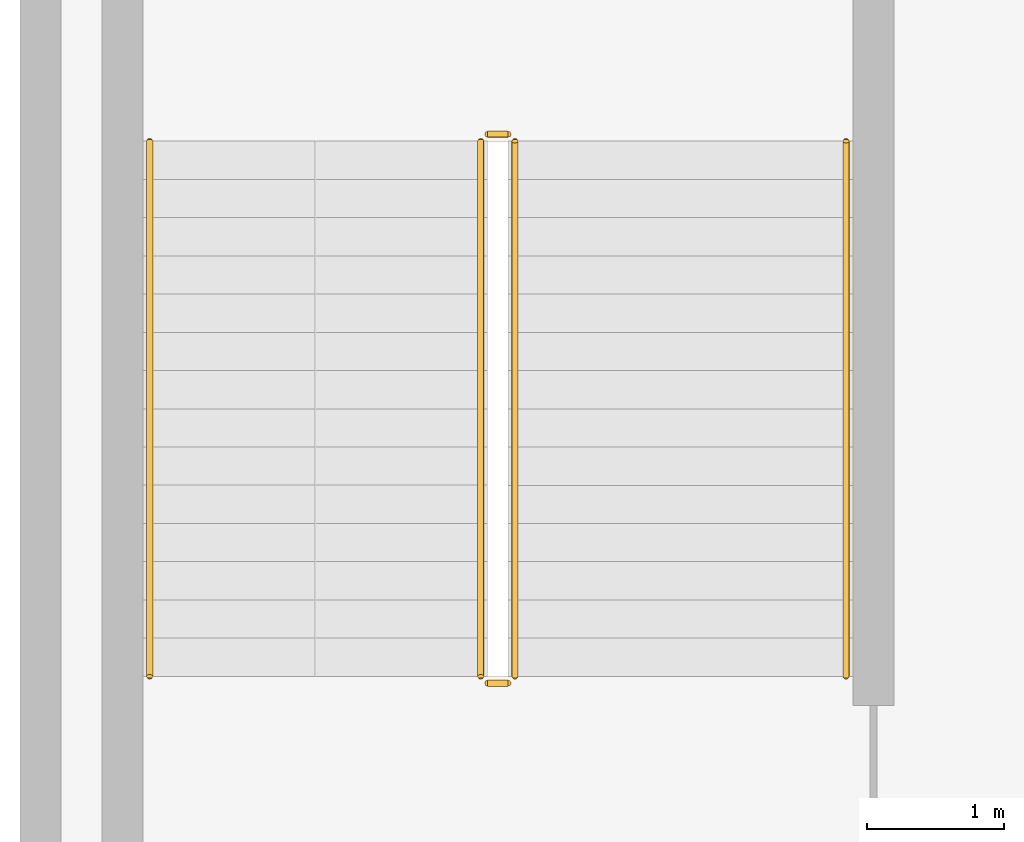
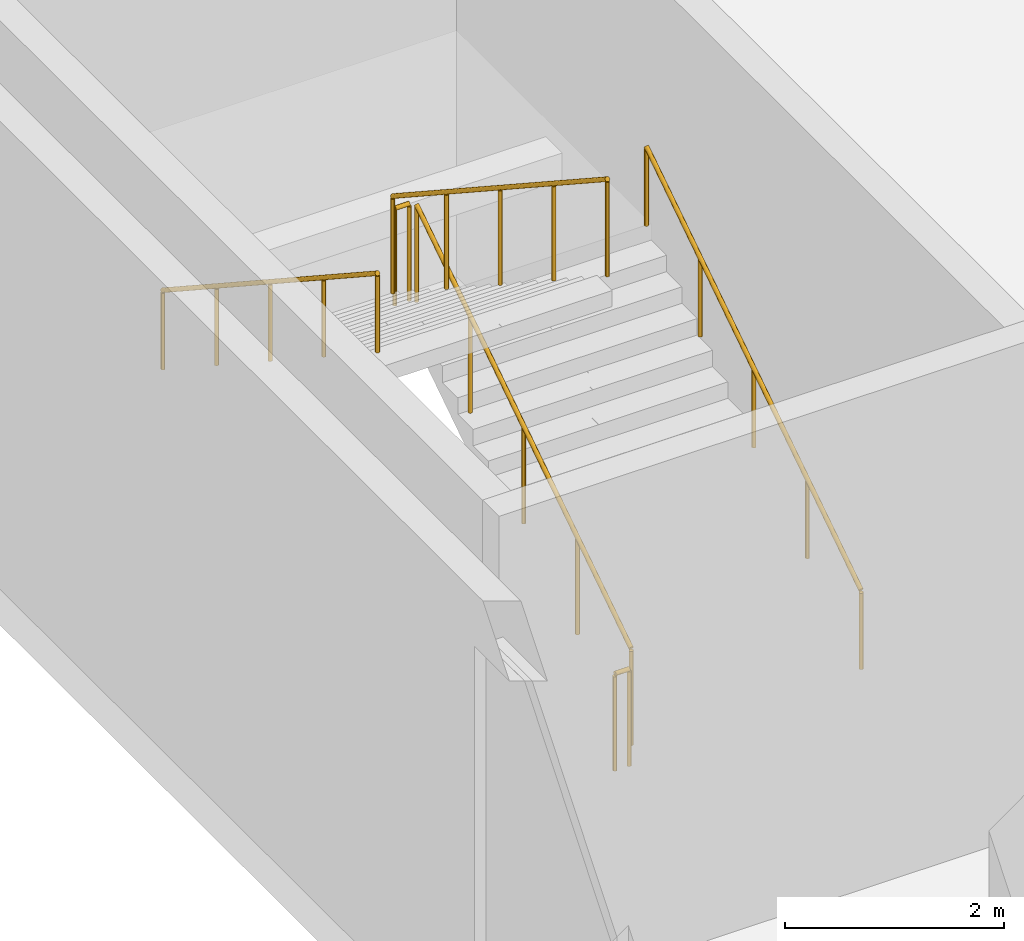
# One storey, part 20 of 26: 6 railings.
"""IFC4 building model written with IfcOpenShell, lengths in metres."""

from ifc_helpers import new_model, si_unit, direction, frame, origin, origin_2d, place, context, subcontext, project, spatial, circle, extrude, material, type_object, element, save


model = new_model("IFC4")

# Units and contexts
model_context = context("Model", 3, precision=1e-05, world=origin(), true_north=direction((0.0, 1.0)))
body_context = subcontext(model_context, "Body", "Model", "MODEL_VIEW")
ifc_project = project(units=[si_unit("LENGTHUNIT", "METRE"), si_unit("AREAUNIT", "SQUARE_METRE"), si_unit("VOLUMEUNIT", "CUBIC_METRE"), si_unit("PLANEANGLEUNIT", "RADIAN"), si_unit("MASSUNIT", "GRAM", prefix="KILO")], contexts=[model_context])

# Site, building, storey
site_placement = place(None, origin())
site = spatial("IfcSite", under=ifc_project, at=site_placement, CompositionType="ELEMENT")
building_placement = place(site_placement, origin())
building = spatial("IfcBuilding", under=site, at=building_placement, Name="Tel Ilan Convention Tower", CompositionType="ELEMENT")
storey_placement = place(building_placement, frame((0.0, 0.0, 32.0)))
storey = spatial("IfcBuildingStorey", under=building, at=storey_placement, Name="L04", CompositionType="ELEMENT", Elevation=32.0)

# Railings
ifc_material_1 = material(Name="Stainless Steel Grade 316", Category="steel")
railing_type_1 = type_object("IfcRailingType", Name="Stainless Steel Stair Guard 1100 mm", PredefinedType="GUARDRAIL", material=ifc_material_1)
railing_1_placement = place(storey_placement, frame((-46.375, -40.47509765625, 0.183349609375)))
element("IfcRailing", 1, at=railing_1_placement, inside=storey, type_object=railing_type_1, Name="L04 P7 stair guard 1", PredefinedType="GUARDRAIL", context=body_context, shape_type="SweptSolid", body=[
    extrude(circle(Radius=0.02392578125, at=origin_2d()), frame((0.0, 0.0, 1.076171875), z_axis=(0.0, 0.836630751959, 0.54776727255), x_axis=(-1.0, 0.0, 0.0)), (0.0, 0.0, 1.0), 4.685546875),
    extrude(circle(Radius=0.02099609375, at=origin_2d()), origin(), (0.0, 0.0, 1.0), 1.052001953125),
    extrude(circle(Radius=0.02099609375, at=origin_2d()), frame((0.0, 0.97998046875, 0.6416015625)), (0.0, 0.0, 1.0), 1.052001953125),
    extrude(circle(Radius=0.02099609375, at=origin_2d()), frame((0.0, 1.9599609375, 1.283203125)), (0.0, 0.0, 1.0), 1.052001953125),
    extrude(circle(Radius=0.02099609375, at=origin_2d()), frame((0.0, 2.940185546875, 1.925048828125)), (0.0, 0.0, 1.0), 1.052001953125),
    extrude(circle(Radius=0.02099609375, at=origin_2d()), frame((0.0, 3.920166015625, 2.566650390625)), (0.0, 0.0, 1.0), 1.052001953125),
])
railing_2_placement = place(storey_placement, frame((-46.425048828125, -36.5048828125, 2.75)))
element("IfcRailing", 2, at=railing_2_placement, inside=storey, type_object=railing_type_1, Name="L04 P7 stair guard 2", PredefinedType="GUARDRAIL", context=body_context, shape_type="SweptSolid", body=[
    extrude(circle(Radius=0.02392578125, at=origin_2d()), frame((0.0, 0.0, 1.076171875), z_axis=(-1.0, 0.0, 0.0), x_axis=(0.0, -1.0, 0.0)), (0.0, 0.0, 1.0), 0.14990234375),
    extrude(circle(Radius=0.02099609375, at=origin_2d()), origin(), (0.0, 0.0, 1.0), 1.052001953125),
    extrude(circle(Radius=0.02099609375, at=origin_2d()), frame((-0.14990234375, 0.0, 0.0)), (0.0, 0.0, 1.0), 1.052001953125),
])
railing_3_placement = place(storey_placement, frame((-46.625, -36.554931640625, 2.933349609375)))
element("IfcRailing", 3, at=railing_3_placement, inside=storey, type_object=railing_type_1, Name="L04 P7 stair guard 3", PredefinedType="GUARDRAIL", context=body_context, shape_type="SweptSolid", body=[
    extrude(circle(Radius=0.02392578125, at=origin_2d()), frame((0.0, 0.0, 1.076171875), z_axis=(0.0, -0.836630751959, 0.54776727255), x_axis=(1.0, 0.0, 0.0)), (0.0, 0.0, 1.0), 4.685546875),
    extrude(circle(Radius=0.02099609375, at=origin_2d()), origin(), (0.0, 0.0, 1.0), 1.052001953125),
    extrude(circle(Radius=0.02099609375, at=origin_2d()), frame((0.0, -0.97998046875, 0.6416015625)), (0.0, 0.0, 1.0), 1.052001953125),
    extrude(circle(Radius=0.02099609375, at=origin_2d()), frame((0.0, -1.9599609375, 1.283203125)), (0.0, 0.0, 1.0), 1.052001953125),
    extrude(circle(Radius=0.02099609375, at=origin_2d()), frame((0.0, -2.940185546875, 1.925048828125)), (0.0, 0.0, 1.0), 1.052001953125),
    extrude(circle(Radius=0.02099609375, at=origin_2d()), frame((0.0, -3.920166015625, 2.566650390625)), (0.0, 0.0, 1.0), 1.052001953125),
])
railing_4_placement = place(storey_placement, frame((-46.425048828125, -40.52490234375, 0.0)))
element("IfcRailing", 4, at=railing_4_placement, inside=storey, type_object=railing_type_1, Name="L04 P7 stair guard 4", PredefinedType="GUARDRAIL", context=body_context, shape_type="SweptSolid", body=[
    extrude(circle(Radius=0.02392578125, at=origin_2d()), frame((0.0, 0.0, 1.076171875), z_axis=(-1.0, 0.0, 0.0), x_axis=(0.0, -1.0, 0.0)), (0.0, 0.0, 1.0), 0.14990234375),
    extrude(circle(Radius=0.02099609375, at=origin_2d()), origin(), (0.0, 0.0, 1.0), 1.052001953125),
    extrude(circle(Radius=0.02099609375, at=origin_2d()), frame((-0.14990234375, 0.0, 0.0)), (0.0, 0.0, 1.0), 1.052001953125),
])
ifc_material_2 = material(Name="Stainless Steel Grade 316", Category="steel")
railing_type_2 = type_object("IfcRailingType", Name="Stainless Steel Stair Handrail 900 mm", PredefinedType="HANDRAIL", material=ifc_material_2)
railing_5_placement = place(storey_placement, frame((-43.949951171875, -40.47509765625, 0.183349609375)))
element("IfcRailing", 5, at=railing_5_placement, inside=storey, type_object=railing_type_2, Name="L04 P7 stair handrail 1", PredefinedType="HANDRAIL", context=body_context, shape_type="SweptSolid", body=[
    extrude(circle(Radius=0.02392578125, at=origin_2d()), frame((0.0, 0.0, 0.8759765625), z_axis=(0.0, 0.836630751959, 0.54776727255), x_axis=(-1.0, 0.0, 0.0)), (0.0, 0.0, 1.0), 4.685546875),
    extrude(circle(Radius=0.02099609375, at=origin_2d()), origin(), (0.0, 0.0, 1.0), 0.851806640625),
    extrude(circle(Radius=0.02099609375, at=origin_2d()), frame((0.0, 0.97998046875, 0.6416015625)), (0.0, 0.0, 1.0), 0.851806640625),
    extrude(circle(Radius=0.02099609375, at=origin_2d()), frame((0.0, 1.9599609375, 1.283203125)), (0.0, 0.0, 1.0), 0.851806640625),
    extrude(circle(Radius=0.02099609375, at=origin_2d()), frame((0.0, 2.940185546875, 1.925048828125)), (0.0, 0.0, 1.0), 0.851806640625),
    extrude(circle(Radius=0.02099609375, at=origin_2d()), frame((0.0, 3.920166015625, 2.566650390625)), (0.0, 0.0, 1.0), 0.851806640625),
])
railing_6_placement = place(storey_placement, frame((-49.050048828125, -36.554931640625, 2.933349609375)))
element("IfcRailing", 6, at=railing_6_placement, inside=storey, type_object=railing_type_2, Name="L04 P7 stair handrail 2", PredefinedType="HANDRAIL", context=body_context, shape_type="SweptSolid", body=[
    extrude(circle(Radius=0.02392578125, at=origin_2d()), frame((0.0, 0.0, 0.8759765625), z_axis=(0.0, -0.836630751959, 0.54776727255), x_axis=(1.0, 0.0, 0.0)), (0.0, 0.0, 1.0), 4.685546875),
    extrude(circle(Radius=0.02099609375, at=origin_2d()), origin(), (0.0, 0.0, 1.0), 0.851806640625),
    extrude(circle(Radius=0.02099609375, at=origin_2d()), frame((0.0, -0.97998046875, 0.6416015625)), (0.0, 0.0, 1.0), 0.851806640625),
    extrude(circle(Radius=0.02099609375, at=origin_2d()), frame((0.0, -1.9599609375, 1.283203125)), (0.0, 0.0, 1.0), 0.851806640625),
    extrude(circle(Radius=0.02099609375, at=origin_2d()), frame((0.0, -2.940185546875, 1.925048828125)), (0.0, 0.0, 1.0), 0.851806640625),
    extrude(circle(Radius=0.02099609375, at=origin_2d()), frame((0.0, -3.920166015625, 2.566650390625)), (0.0, 0.0, 1.0), 0.851806640625),
])

save(model, "model.ifc")
